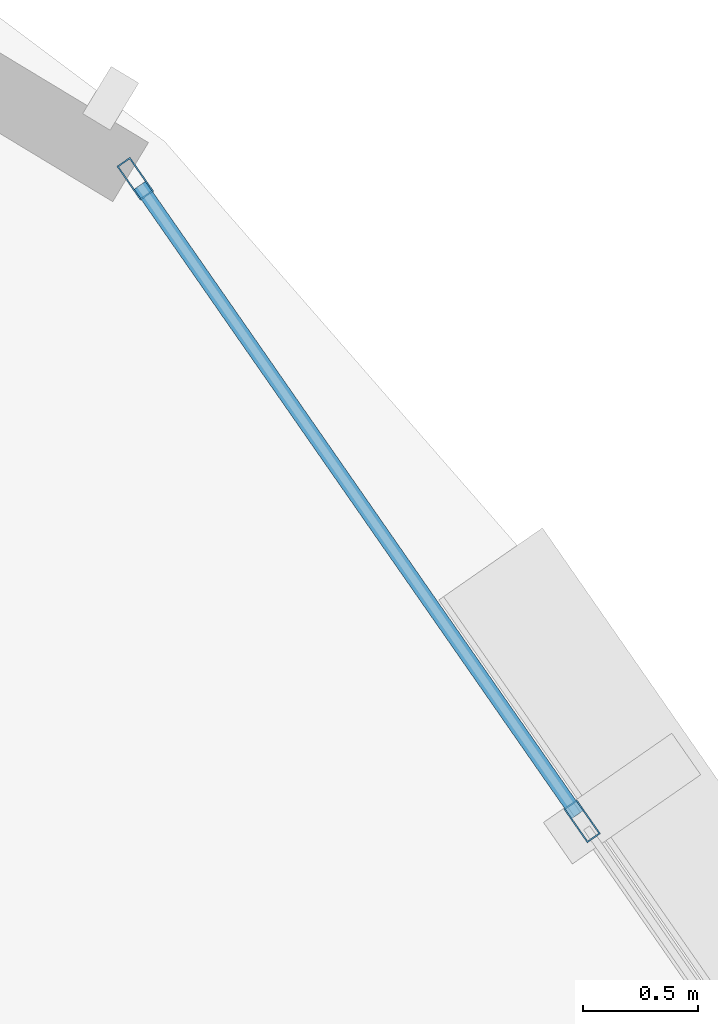
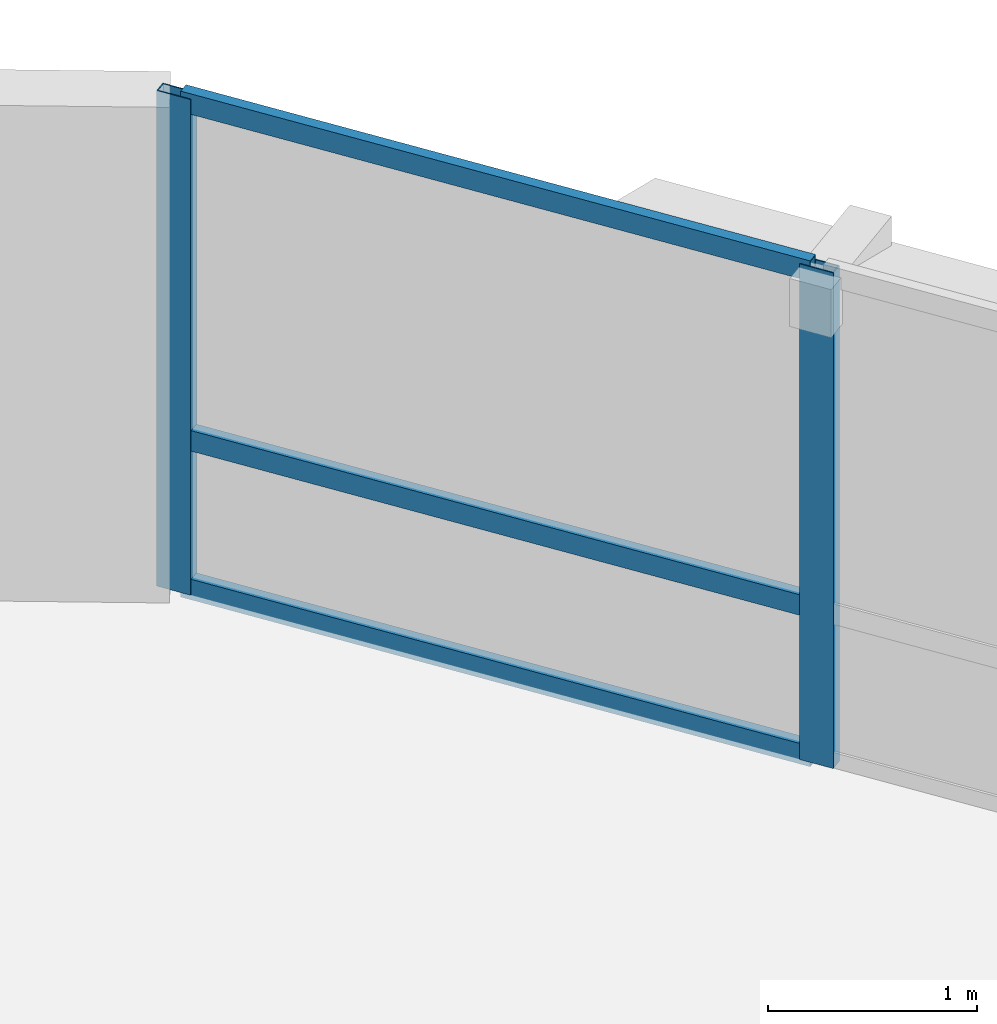
# One storey, part 8 of 14: 5 members, 1 element without a shape of its own.
"""IFC4 building model written with IfcOpenShell, lengths in metres."""

from ifc_helpers import new_model, si_unit, direction, frame, origin, origin_2d, place, context, subcontext, project, spatial, hollow_rectangle, extrude, material, layer, layer_set, material_profile, profile_set, type_object, element, aggregate, save


model = new_model("IFC4")

# Units and contexts
model_context = context("Model", 3, precision=1e-05, world=origin(), true_north=direction((0.0, 1.0)))
body_context = subcontext(model_context, "Body", "Model", "MODEL_VIEW")
ifc_project = project(units=[si_unit("LENGTHUNIT", "METRE"), si_unit("AREAUNIT", "SQUARE_METRE"), si_unit("VOLUMEUNIT", "CUBIC_METRE"), si_unit("PLANEANGLEUNIT", "RADIAN"), si_unit("MASSUNIT", "GRAM", prefix="KILO"), si_unit("THERMODYNAMICTEMPERATUREUNIT", "KELVIN"), si_unit("POWERUNIT", "WATT")], contexts=[model_context])

# Site, building, storey
site_placement = place(None, origin())
site = spatial("IfcSite", under=ifc_project, at=site_placement, CompositionType="ELEMENT")
building_placement = place(site_placement, origin())
building = spatial("IfcBuilding", under=site, at=building_placement, Name="Ocrelia Relay Tower", CompositionType="ELEMENT")
storey_placement = place(building_placement, frame((0.0, 0.0, 125.800048828125)))
storey = spatial("IfcBuildingStorey", under=building, at=storey_placement, Name="L29", CompositionType="ELEMENT", Elevation=125.800048828125)

# Curtain wall, members
ifc_material_1 = material(Name="Aluminium and solar-control low-E glass", Category="aluminium")
ifc_layer = layer(ifc_material_1, 0.179931640625, Name="Aluminium and solar-control low-E glass")
ifc_layer_set = layer_set([ifc_layer], Name="Aluminium and solar-control low-E glass")
curtain_wall_type = type_object("IfcCurtainWallType", Name="CW-SYS-Z2-SWIT", PredefinedType="NOTDEFINED", material=ifc_layer_set)
curtain_wall_placement = place(storey_placement, origin())
curtain_wall = element("IfcCurtainWall", 1, at=curtain_wall_placement, inside=storey, type_object=curtain_wall_type, Name="L29 Elliptical Tower Curtain Wall Bay 01", PredefinedType="NOTDEFINED")
ifc_material_2 = material(Name="Anodised bronze aluminium", Category="aluminium")
ifc_material_profile_1 = material_profile(ifc_material_2, hollow_rectangle(XDim=0.070068359375, YDim=0.179931640625, WallThickness=0.006103515625, at=origin_2d()), Name="CW-MUL-180x70")
ifc_profile_set_1 = profile_set([ifc_material_profile_1], Name="Anodised bronze aluminium")
member_type_1 = type_object("IfcMemberType", Name="CW-SYS-Z2-SWIT-MUL", PredefinedType="MULLION", material=ifc_profile_set_1)
member_1_placement = place(storey_placement, frame((55.796875, 38.3515625, 0.0), z_axis=(0.0, 0.0, 1.0), x_axis=(-0.820954679585, -0.570993357289, 0.0)))
member_1 = element("IfcMember", 2, at=member_1_placement, type_object=member_type_1, Name="CW-Z2 mullion 2", PredefinedType="MULLION", context=body_context, shape_type="SweptSolid", body=[
    extrude(hollow_rectangle(XDim=0.070068359375, YDim=0.179931640625, WallThickness=0.006103515625, at=origin_2d()), origin(), (0.0, 0.0, 1.0), 2.89990234375),
])
member_2_placement = place(storey_placement, frame((53.85302734375, 41.146484375, 0.0), z_axis=(0.0, 0.0, 1.0), x_axis=(-0.820954679585, -0.570993357289, 0.0)))
member_2 = element("IfcMember", 3, at=member_2_placement, type_object=member_type_1, Name="CW-Z2 mullion 3", PredefinedType="MULLION", context=body_context, shape_type="SweptSolid", body=[
    extrude(hollow_rectangle(XDim=0.070068359375, YDim=0.179931640625, WallThickness=0.006103515625, at=origin_2d()), origin(), (0.0, 0.0, 1.0), 2.89990234375),
])
ifc_material_profile_2 = material_profile(ifc_material_2, hollow_rectangle(XDim=0.06005859375, YDim=0.1201171875, WallThickness=0.0048828125, at=origin_2d()), Name="CW-TRN-120x60")
ifc_profile_set_2 = profile_set([ifc_material_profile_2], Name="Anodised bronze aluminium")
member_type_2 = type_object("IfcMemberType", Name="CW-SYS-Z2-SWIT-TRN", PredefinedType="USERDEFINED", material=ifc_profile_set_2)
member_3_placement = place(storey_placement, frame((55.77685546875, 38.380126953125, 0.030029296875), z_axis=(-0.570948640591, 0.820985779296, 0.0), x_axis=(-0.820985779296, -0.570948640591, 0.0)))
member_3 = element("IfcMember", 4, at=member_3_placement, type_object=member_type_2, Name="CW-Z2 transom 2.1", ObjectType="TRANSOM", PredefinedType="USERDEFINED", context=body_context, shape_type="SweptSolid", body=[
    extrude(hollow_rectangle(XDim=0.06005859375, YDim=0.1201171875, WallThickness=0.0048828125, at=origin_2d()), origin(), (0.0, 0.0, 1.0), 3.33447265625),
])
member_4_placement = place(storey_placement, frame((55.77685546875, 38.380126953125, 0.89990234375), z_axis=(-0.570948640591, 0.820985779296, 0.0), x_axis=(-0.820985779296, -0.570948640591, 0.0)))
member_4 = element("IfcMember", 5, at=member_4_placement, type_object=member_type_2, Name="CW-Z2 transom 2.2", ObjectType="TRANSOM", PredefinedType="USERDEFINED", context=body_context, shape_type="SweptSolid", body=[
    extrude(hollow_rectangle(XDim=0.06005859375, YDim=0.1201171875, WallThickness=0.0048828125, at=origin_2d()), origin(), (0.0, 0.0, 1.0), 3.33447265625),
])
member_5_placement = place(storey_placement, frame((55.77685546875, 38.380126953125, 2.869873046875), z_axis=(-0.570948640591, 0.820985779296, 0.0), x_axis=(-0.820985779296, -0.570948640591, 0.0)))
member_5 = element("IfcMember", 6, at=member_5_placement, type_object=member_type_2, Name="CW-Z2 transom 2.3", ObjectType="TRANSOM", PredefinedType="USERDEFINED", context=body_context, shape_type="SweptSolid", body=[
    extrude(hollow_rectangle(XDim=0.06005859375, YDim=0.1201171875, WallThickness=0.0048828125, at=origin_2d()), origin(), (0.0, 0.0, 1.0), 3.33447265625),
])
aggregate(curtain_wall, [member_1, member_2, member_3, member_4, member_5])

save(model, "model.ifc")
